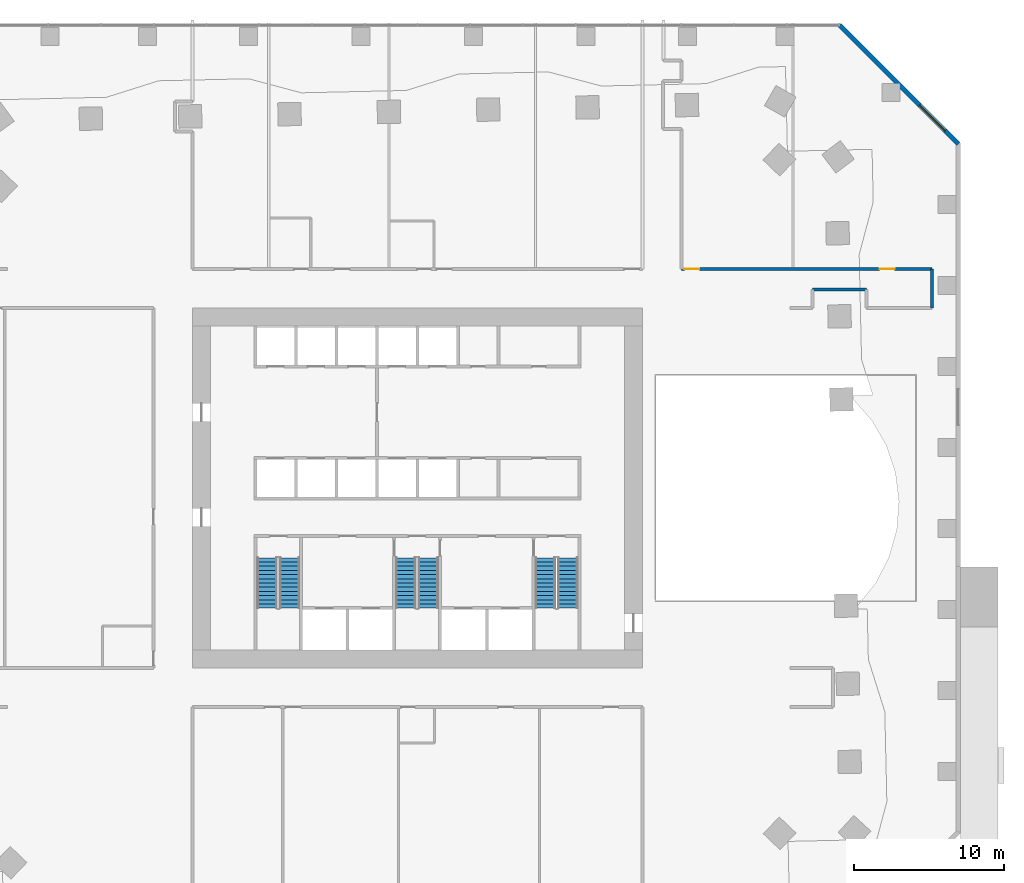
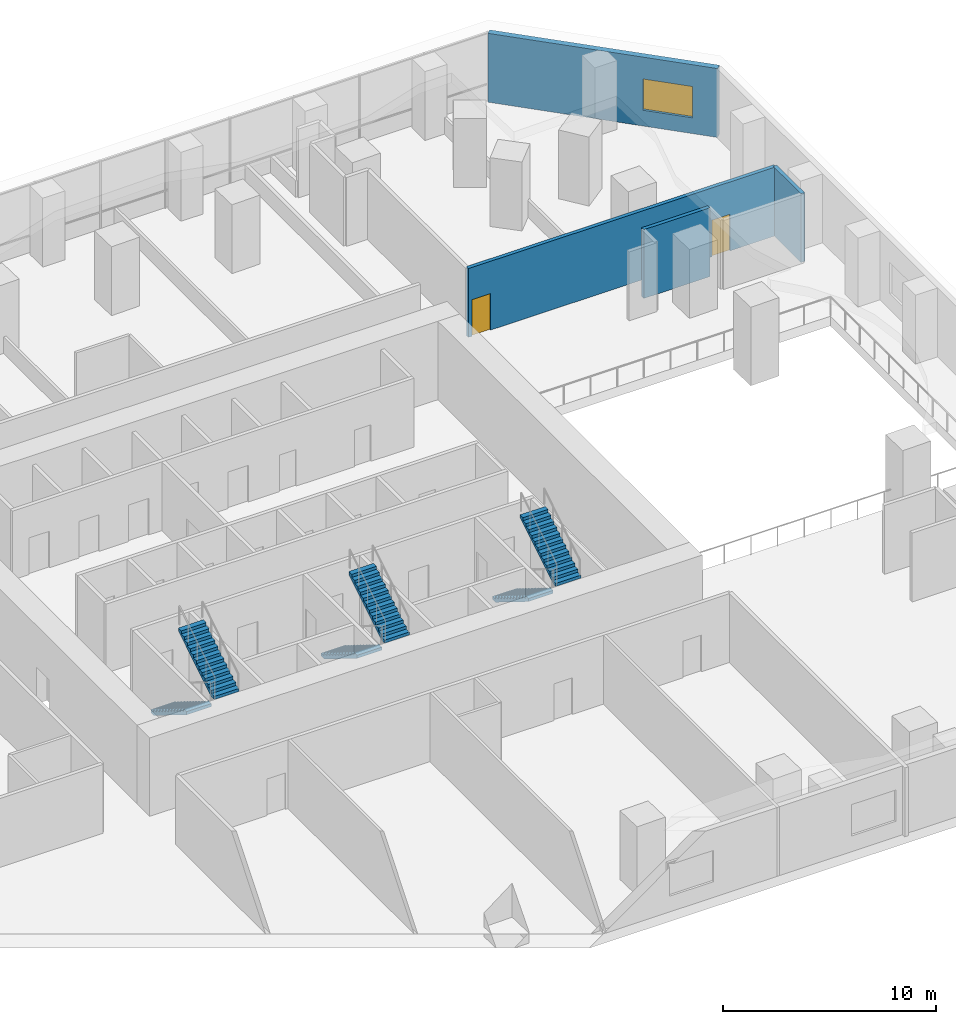
# One storey, part 9 of 12: 6 stair flights, 4 walls, 2 doors, 1 window, 3 openings, 3 elements without a shape of their own.
"""IFC4 building model written with IfcOpenShell, lengths in metres."""

from ifc_helpers import new_model, si_unit, direction, frame, frame_2d, origin, place, context, subcontext, project, spatial, polyline, rectangle, outline, extrude, material, layer, layer_set, type_object, element, fill, aggregate, save


model = new_model("IFC4")

# Units and contexts
model_context = context("Model", 3, precision=1e-05, world=origin(), true_north=direction((0.0, 1.0)))
body_context = subcontext(model_context, "Body", "Model", "MODEL_VIEW")
ifc_project = project(units=[si_unit("LENGTHUNIT", "METRE"), si_unit("AREAUNIT", "SQUARE_METRE"), si_unit("VOLUMEUNIT", "CUBIC_METRE"), si_unit("PLANEANGLEUNIT", "RADIAN"), si_unit("MASSUNIT", "GRAM", prefix="KILO")], contexts=[model_context])

# Site, building, storey
site_placement = place(None, origin())
site = spatial("IfcSite", under=ifc_project, at=site_placement, CompositionType="ELEMENT")
building_placement = place(site_placement, origin())
building = spatial("IfcBuilding", under=site, at=building_placement, Name="Mangrove Gate Tower", CompositionType="ELEMENT")
storey_placement = place(building_placement, frame((0.0, 0.0, 25.0)))
storey = spatial("IfcBuildingStorey", under=building, at=storey_placement, Name="L05", CompositionType="ELEMENT", Elevation=25.0)

# Walls
ifc_material_1 = material(Name="Gypsum board on steel stud, EI 60", Category="steel")
ifc_layer_1 = layer(ifc_material_1, 0.199951171875)
ifc_layer_set_1 = layer_set([ifc_layer_1], Name="Corridor wall EI 60")
wall_type_1 = type_object("IfcWallType", Name="Corridor wall EI 60", PredefinedType="PARTITIONING", material=ifc_layer_set_1)
wall_1_placement = place(storey_placement, frame((34.300048828125, 12.0, 0.0), z_axis=(0.0, 0.0, 1.0), x_axis=(0.0, 1.0, 0.0)))
element("IfcWall", 1, at=wall_1_placement, inside=storey, type_object=wall_type_1, Name="WALL-L05-029", PredefinedType="PARTITIONING", context=body_context, shape_type="SweptSolid", body=[
    extrude(rectangle(XDim=2.60009765625, YDim=0.199951171875, at=frame_2d((1.300048828125, 0.0))), origin(), (0.0, 0.0, 1.0), 3.949951171875),
])
wall_2_placement = place(storey_placement, frame((26.3349609375, 13.239990234375, 0.0), z_axis=(0.0, 0.0, 1.0), x_axis=(1.0, 0.0, 0.0)))
element("IfcWall", 2, at=wall_2_placement, inside=storey, type_object=wall_type_1, Name="WALL-L05-030", PredefinedType="PARTITIONING", context=body_context, shape_type="SweptSolid", body=[
    extrude(rectangle(XDim=3.60009765625, YDim=0.199951171875, at=frame_2d((1.800048828125, 0.0))), origin(), (0.0, 0.0, 1.0), 3.949951171875),
])

# Wall, openings, doors
wall_3_placement = place(storey_placement, frame((17.60009765625, 14.60009765625, 0.0), z_axis=(0.0, 0.0, 1.0), x_axis=(1.0, 0.0, 0.0)))
wall_3 = element("IfcWall", 3, at=wall_3_placement, inside=storey, type_object=wall_type_1, Name="WALL-L05-042", PredefinedType="PARTITIONING", context=body_context, shape_type="SweptSolid", body=[
    extrude(rectangle(XDim=16.699951171875, YDim=0.199951171875, at=frame_2d((8.35009765625, 0.0))), origin(), (0.0, 0.0, 1.0), 3.949951171875),
])
opening_1_placement = place(wall_3_placement, frame((13.208984375, 0.0, 0.0)))
opening_1 = element("IfcOpeningElement", 4, at=opening_1_placement, cuts=wall_3, Name="Opening AD", PredefinedType="OPENING", context=body_context, shape_type="SweptSolid", body=[
    extrude(rectangle(XDim=1.0, YDim=2.10009765625, at=frame_2d((0.5, 1.050048828125))), frame((0.0, 0.10986328125, 0.0), z_axis=(0.0, -1.0, 0.0), x_axis=(1.0, 0.0, 0.0)), (0.0, 0.0, 1.0), 0.219970703125),
])
opening_2_placement = place(wall_3_placement, frame((0.199951171875, 0.0, 0.0)))
opening_2 = element("IfcOpeningElement", 5, at=opening_2_placement, cuts=wall_3, Name="Opening AD", PredefinedType="OPENING", context=body_context, shape_type="SweptSolid", body=[
    extrude(rectangle(XDim=1.0, YDim=2.10009765625, at=frame_2d((0.5, 1.050048828125))), frame((0.0, 0.10986328125, 0.0), z_axis=(0.0, -1.0, 0.0), x_axis=(1.0, 0.0, 0.0)), (0.0, 0.0, 1.0), 0.219970703125),
])
ifc_material_2 = material(Name="Timber door leaf", Category="wood")
door_type = type_object("IfcDoorType", Name="Amenity door 1000", OperationType="SINGLE_SWING_LEFT", PredefinedType="DOOR", material=ifc_material_2)
door_1_placement = place(opening_1_placement, origin())
door_1 = element("IfcDoor", 6, at=door_1_placement, inside=storey, type_object=door_type, Name="DOOR-L05-POD-07", OperationType="SINGLE_SWING_LEFT", OverallHeight=2.10009765625, OverallWidth=1.0, PredefinedType="DOOR", context=body_context, shape_type="SweptSolid", body=[
    extrude(rectangle(XDim=1.0, YDim=2.10009765625, at=frame_2d((0.5, 1.050048828125))), frame((0.0, 0.02490234375, 0.0), z_axis=(0.0, -1.0, 0.0), x_axis=(1.0, 0.0, 0.0)), (0.0, 0.0, 1.0), 0.050048828125),
])
fill(opening_1, door_1)
door_2_placement = place(opening_2_placement, origin())
door_2 = element("IfcDoor", 7, at=door_2_placement, inside=storey, type_object=door_type, Name="DOOR-L05-POD-12", OperationType="SINGLE_SWING_RIGHT", OverallHeight=2.10009765625, OverallWidth=1.0, PredefinedType="DOOR", context=body_context, shape_type="SweptSolid", body=[
    extrude(rectangle(XDim=1.0, YDim=2.10009765625, at=frame_2d((0.5, 1.050048828125))), frame((0.0, 0.02490234375, 0.0), z_axis=(0.0, -1.0, 0.0), x_axis=(1.0, 0.0, 0.0)), (0.0, 0.0, 1.0), 0.050048828125),
])
fill(opening_2, door_2)

# Wall, opening, window
ifc_material_3 = material(Name="Limestone", Category="masonry")
ifc_layer_2 = layer(ifc_material_3, 0.0400390625, Name="Limestone cladding")
ifc_material_4 = material(Name="Ventilated air gap")
ifc_layer_3 = layer(ifc_material_4, 0.0400390625, Name="Ventilated cavity")
ifc_material_5 = material(Name="Mineral wool insulation")
ifc_layer_4 = layer(ifc_material_5, 0.06005859375, Name="Insulation")
ifc_material_6 = material(Name="Breather membrane")
ifc_layer_5 = layer(ifc_material_6, 0.001953125, Name="Breather membrane")
ifc_material_7 = material(Name="Concrete C20/25 blockwork", Category="masonry")
ifc_layer_6 = layer(ifc_material_7, 0.14990234375, Name="Blockwork backing wall")
ifc_material_8 = material(Name="Gypsum plaster")
ifc_layer_7 = layer(ifc_material_8, 0.008056640625, Name="Internal plaster")
ifc_layer_set_2 = layer_set([ifc_layer_2, ifc_layer_3, ifc_layer_4, ifc_layer_5, ifc_layer_6, ifc_layer_7], Name="External wall 300 limestone cladding")
wall_type_2 = type_object("IfcWallType", Name="External wall 300 limestone cladding", PredefinedType="SOLIDWALL", material=ifc_layer_set_2)
wall_4_placement = place(storey_placement, frame((36.050048828125, 22.93798828125, 0.0), z_axis=(0.0, 0.0, 1.0), x_axis=(-0.707106781187, 0.707106781187, 0.0)))
wall_4 = element("IfcWall", 8, at=wall_4_placement, inside=storey, type_object=wall_type_2, Name="WALL-L05-N2", PredefinedType="SOLIDWALL", context=body_context, shape_type="SweptSolid", body=[
    extrude(rectangle(XDim=11.189453125, YDim=0.300048828125, at=frame_2d((5.5947265625, 0.0))), origin(), (0.0, 0.0, 1.0), 3.949951171875),
])
opening_3_placement = place(wall_4_placement, frame((1.241943359375, 0.0, 0.89990234375)))
opening_3 = element("IfcOpeningElement", 9, at=opening_3_placement, cuts=wall_4, Name="Opening W3", PredefinedType="OPENING", context=body_context, shape_type="SweptSolid", body=[
    extrude(rectangle(XDim=2.39990234375, YDim=1.800048828125, at=frame_2d((1.199951171875, 0.89990234375))), frame((0.0, 0.159912109375, 0.0), z_axis=(0.0, -1.0, 0.0), x_axis=(1.0, 0.0, 0.0)), (0.0, 0.0, 1.0), 0.320068359375),
])
ifc_material_9 = material(Name="Aluminium frame with double-glazed low-e glass", Category="aluminium")
window_type = type_object("IfcWindowType", Name="Podium window 2400x1800", PartitioningType="DOUBLE_PANEL_VERTICAL", PredefinedType="WINDOW", material=ifc_material_9)
window_placement = place(opening_3_placement, origin())
window = element("IfcWindow", 10, at=window_placement, inside=storey, type_object=window_type, Name="WIN-L05-N2-1", OverallHeight=1.800048828125, OverallWidth=2.39990234375, PartitioningType="DOUBLE_PANEL_VERTICAL", PredefinedType="WINDOW", context=body_context, shape_type="SweptSolid", body=[
    extrude(rectangle(XDim=2.39990234375, YDim=1.800048828125, at=frame_2d((1.199951171875, 0.89990234375))), frame((0.0, 0.030029296875, 0.0), z_axis=(0.0, -1.0, 0.0), x_axis=(1.0, 0.0, 0.0)), (0.0, 0.0, 1.0), 0.06005859375),
])
fill(opening_3, window)

# Stair, stair flights
ifc_material_10 = material(Name="Concrete C40/50", Category="concrete")
stair_type = type_object("IfcStairType", Name="Core stair 1350", PredefinedType="HALF_TURN_STAIR", material=ifc_material_10)
stair_1_placement = place(storey_placement, origin())
stair_1 = element("IfcStair", 11, at=stair_1_placement, inside=storey, type_object=stair_type, Name="L05 Stair 1", PredefinedType="HALF_TURN_STAIR")
ifc_material_11 = material(Name="Concrete C40/50", Category="concrete")
stair_flight_type = type_object("IfcStairFlightType", Name="Core stair flight 1350", PredefinedType="STRAIGHT", material=ifc_material_11)
stair_flight_1_placement = place(storey_placement, frame((-10.02490234375, -4.64990234375, 0.0), z_axis=(0.0, 0.0, 1.0), x_axis=(0.0, -1.0, 0.0)))
stair_flight_1 = element("IfcStairFlight", 12, at=stair_flight_1_placement, type_object=stair_flight_type, Name="ST1 flight 1", NumberOfRisers=13, NumberOfTreads=12, PredefinedType="STRAIGHT", RiserHeight=0.173076923, TreadLength=0.28, context=body_context, shape_type="SweptSolid", body=[
    extrude(outline(polyline([(0.0, 0.0), (0.0, 0.173095703125), (0.280029296875, 0.173095703125), (0.280029296875, 0.34619140625), (0.56005859375, 0.34619140625), (0.56005859375, 0.519287109375), (0.840087890625, 0.519287109375), (0.840087890625, 0.6923828125), (1.1201171875, 0.6923828125), (1.1201171875, 0.865478515625), (1.39990234375, 0.865478515625), (1.39990234375, 1.03857421875), (1.679931640625, 1.03857421875), (1.679931640625, 1.21142578125), (1.9599609375, 1.21142578125), (1.9599609375, 1.384521484375), (2.239990234375, 1.384521484375), (2.239990234375, 1.5576171875), (2.52001953125, 1.5576171875), (2.52001953125, 1.730712890625), (2.800048828125, 1.730712890625), (2.800048828125, 1.90380859375), (3.080078125, 1.90380859375), (3.080078125, 2.076904296875), (3.360107421875, 2.076904296875), (3.360107421875, 2.25), (3.360107421875, 1.900634765625), (0.28515625, 0.0), (0.0, 0.0)])), frame((0.0, 0.675048828125, 0.0), z_axis=(0.0, -1.0, 0.0), x_axis=(1.0, 0.0, 0.0)), (0.0, 0.0, 1.0), 1.35009765625),
])
stair_flight_2_placement = place(storey_placement, frame((-8.52490234375, -8.010009765625, 2.25), z_axis=(0.0, 0.0, 1.0), x_axis=(0.0, 1.0, 0.0)))
stair_flight_2 = element("IfcStairFlight", 13, at=stair_flight_2_placement, type_object=stair_flight_type, Name="ST1 flight 2", NumberOfRisers=13, NumberOfTreads=12, PredefinedType="STRAIGHT", RiserHeight=0.173076923, TreadLength=0.28, context=body_context, shape_type="SweptSolid", body=[
    extrude(outline(polyline([(0.0, 0.0), (0.0, 0.173095703125), (0.280029296875, 0.173095703125), (0.280029296875, 0.34619140625), (0.56005859375, 0.34619140625), (0.56005859375, 0.519287109375), (0.840087890625, 0.519287109375), (0.840087890625, 0.6923828125), (1.1201171875, 0.6923828125), (1.1201171875, 0.865478515625), (1.39990234375, 0.865478515625), (1.39990234375, 1.03857421875), (1.679931640625, 1.03857421875), (1.679931640625, 1.21142578125), (1.9599609375, 1.21142578125), (1.9599609375, 1.384521484375), (2.239990234375, 1.384521484375), (2.239990234375, 1.5576171875), (2.52001953125, 1.5576171875), (2.52001953125, 1.730712890625), (2.800048828125, 1.730712890625), (2.800048828125, 1.90380859375), (3.080078125, 1.90380859375), (3.080078125, 2.076904296875), (3.360107421875, 2.076904296875), (3.360107421875, 2.25), (3.360107421875, 1.900634765625), (0.28515625, 0.0), (0.0, 0.0)])), frame((0.0, 0.675048828125, 0.0), z_axis=(0.0, -1.0, 0.0), x_axis=(1.0, 0.0, 0.0)), (0.0, 0.0, 1.0), 1.35009765625),
])
aggregate(stair_1, [stair_flight_1, stair_flight_2])

stair_2_placement = place(storey_placement, origin())
stair_2 = element("IfcStair", 14, at=stair_2_placement, inside=storey, type_object=stair_type, Name="L05 Stair 2", PredefinedType="HALF_TURN_STAIR")
stair_flight_3_placement = place(storey_placement, frame((-0.77490234375, -4.64990234375, 0.0), z_axis=(0.0, 0.0, 1.0), x_axis=(0.0, -1.0, 0.0)))
stair_flight_3 = element("IfcStairFlight", 15, at=stair_flight_3_placement, type_object=stair_flight_type, Name="ST2 flight 1", NumberOfRisers=13, NumberOfTreads=12, PredefinedType="STRAIGHT", RiserHeight=0.173076923, TreadLength=0.28, context=body_context, shape_type="SweptSolid", body=[
    extrude(outline(polyline([(0.0, 0.0), (0.0, 0.173095703125), (0.280029296875, 0.173095703125), (0.280029296875, 0.34619140625), (0.56005859375, 0.34619140625), (0.56005859375, 0.519287109375), (0.840087890625, 0.519287109375), (0.840087890625, 0.6923828125), (1.1201171875, 0.6923828125), (1.1201171875, 0.865478515625), (1.39990234375, 0.865478515625), (1.39990234375, 1.03857421875), (1.679931640625, 1.03857421875), (1.679931640625, 1.21142578125), (1.9599609375, 1.21142578125), (1.9599609375, 1.384521484375), (2.239990234375, 1.384521484375), (2.239990234375, 1.5576171875), (2.52001953125, 1.5576171875), (2.52001953125, 1.730712890625), (2.800048828125, 1.730712890625), (2.800048828125, 1.90380859375), (3.080078125, 1.90380859375), (3.080078125, 2.076904296875), (3.360107421875, 2.076904296875), (3.360107421875, 2.25), (3.360107421875, 1.900634765625), (0.28515625, 0.0), (0.0, 0.0)])), frame((0.0, 0.675048828125, 0.0), z_axis=(0.0, -1.0, 0.0), x_axis=(1.0, 0.0, 0.0)), (0.0, 0.0, 1.0), 1.35009765625),
])
stair_flight_4_placement = place(storey_placement, frame((0.72509765625, -8.010009765625, 2.25), z_axis=(0.0, 0.0, 1.0), x_axis=(0.0, 1.0, 0.0)))
stair_flight_4 = element("IfcStairFlight", 16, at=stair_flight_4_placement, type_object=stair_flight_type, Name="ST2 flight 2", NumberOfRisers=13, NumberOfTreads=12, PredefinedType="STRAIGHT", RiserHeight=0.173076923, TreadLength=0.28, context=body_context, shape_type="SweptSolid", body=[
    extrude(outline(polyline([(0.0, 0.0), (0.0, 0.173095703125), (0.280029296875, 0.173095703125), (0.280029296875, 0.34619140625), (0.56005859375, 0.34619140625), (0.56005859375, 0.519287109375), (0.840087890625, 0.519287109375), (0.840087890625, 0.6923828125), (1.1201171875, 0.6923828125), (1.1201171875, 0.865478515625), (1.39990234375, 0.865478515625), (1.39990234375, 1.03857421875), (1.679931640625, 1.03857421875), (1.679931640625, 1.21142578125), (1.9599609375, 1.21142578125), (1.9599609375, 1.384521484375), (2.239990234375, 1.384521484375), (2.239990234375, 1.5576171875), (2.52001953125, 1.5576171875), (2.52001953125, 1.730712890625), (2.800048828125, 1.730712890625), (2.800048828125, 1.90380859375), (3.080078125, 1.90380859375), (3.080078125, 2.076904296875), (3.360107421875, 2.076904296875), (3.360107421875, 2.25), (3.360107421875, 1.900634765625), (0.28515625, 0.0), (0.0, 0.0)])), frame((0.0, 0.675048828125, 0.0), z_axis=(0.0, -1.0, 0.0), x_axis=(1.0, 0.0, 0.0)), (0.0, 0.0, 1.0), 1.35009765625),
])
aggregate(stair_2, [stair_flight_3, stair_flight_4])

stair_3_placement = place(storey_placement, origin())
stair_3 = element("IfcStair", 17, at=stair_3_placement, inside=storey, type_object=stair_type, Name="L05 Stair 3", PredefinedType="HALF_TURN_STAIR")
stair_flight_5_placement = place(storey_placement, frame((8.52490234375, -4.64990234375, 0.0), z_axis=(0.0, 0.0, 1.0), x_axis=(0.0, -1.0, 0.0)))
stair_flight_5 = element("IfcStairFlight", 18, at=stair_flight_5_placement, type_object=stair_flight_type, Name="ST3 flight 1", NumberOfRisers=13, NumberOfTreads=12, PredefinedType="STRAIGHT", RiserHeight=0.173076923, TreadLength=0.28, context=body_context, shape_type="SweptSolid", body=[
    extrude(outline(polyline([(0.0, 0.0), (0.0, 0.173095703125), (0.280029296875, 0.173095703125), (0.280029296875, 0.34619140625), (0.56005859375, 0.34619140625), (0.56005859375, 0.519287109375), (0.840087890625, 0.519287109375), (0.840087890625, 0.6923828125), (1.1201171875, 0.6923828125), (1.1201171875, 0.865478515625), (1.39990234375, 0.865478515625), (1.39990234375, 1.03857421875), (1.679931640625, 1.03857421875), (1.679931640625, 1.21142578125), (1.9599609375, 1.21142578125), (1.9599609375, 1.384521484375), (2.239990234375, 1.384521484375), (2.239990234375, 1.5576171875), (2.52001953125, 1.5576171875), (2.52001953125, 1.730712890625), (2.800048828125, 1.730712890625), (2.800048828125, 1.90380859375), (3.080078125, 1.90380859375), (3.080078125, 2.076904296875), (3.360107421875, 2.076904296875), (3.360107421875, 2.25), (3.360107421875, 1.900634765625), (0.28515625, 0.0), (0.0, 0.0)])), frame((0.0, 0.675048828125, 0.0), z_axis=(0.0, -1.0, 0.0), x_axis=(1.0, 0.0, 0.0)), (0.0, 0.0, 1.0), 1.35009765625),
])
stair_flight_6_placement = place(storey_placement, frame((10.02490234375, -8.010009765625, 2.25), z_axis=(0.0, 0.0, 1.0), x_axis=(0.0, 1.0, 0.0)))
stair_flight_6 = element("IfcStairFlight", 19, at=stair_flight_6_placement, type_object=stair_flight_type, Name="ST3 flight 2", NumberOfRisers=13, NumberOfTreads=12, PredefinedType="STRAIGHT", RiserHeight=0.173076923, TreadLength=0.28, context=body_context, shape_type="SweptSolid", body=[
    extrude(outline(polyline([(0.0, 0.0), (0.0, 0.173095703125), (0.280029296875, 0.173095703125), (0.280029296875, 0.34619140625), (0.56005859375, 0.34619140625), (0.56005859375, 0.519287109375), (0.840087890625, 0.519287109375), (0.840087890625, 0.6923828125), (1.1201171875, 0.6923828125), (1.1201171875, 0.865478515625), (1.39990234375, 0.865478515625), (1.39990234375, 1.03857421875), (1.679931640625, 1.03857421875), (1.679931640625, 1.21142578125), (1.9599609375, 1.21142578125), (1.9599609375, 1.384521484375), (2.239990234375, 1.384521484375), (2.239990234375, 1.5576171875), (2.52001953125, 1.5576171875), (2.52001953125, 1.730712890625), (2.800048828125, 1.730712890625), (2.800048828125, 1.90380859375), (3.080078125, 1.90380859375), (3.080078125, 2.076904296875), (3.360107421875, 2.076904296875), (3.360107421875, 2.25), (3.360107421875, 1.900634765625), (0.28515625, 0.0), (0.0, 0.0)])), frame((0.0, 0.675048828125, 0.0), z_axis=(0.0, -1.0, 0.0), x_axis=(1.0, 0.0, 0.0)), (0.0, 0.0, 1.0), 1.35009765625),
])
aggregate(stair_3, [stair_flight_5, stair_flight_6])

save(model, "model.ifc")
